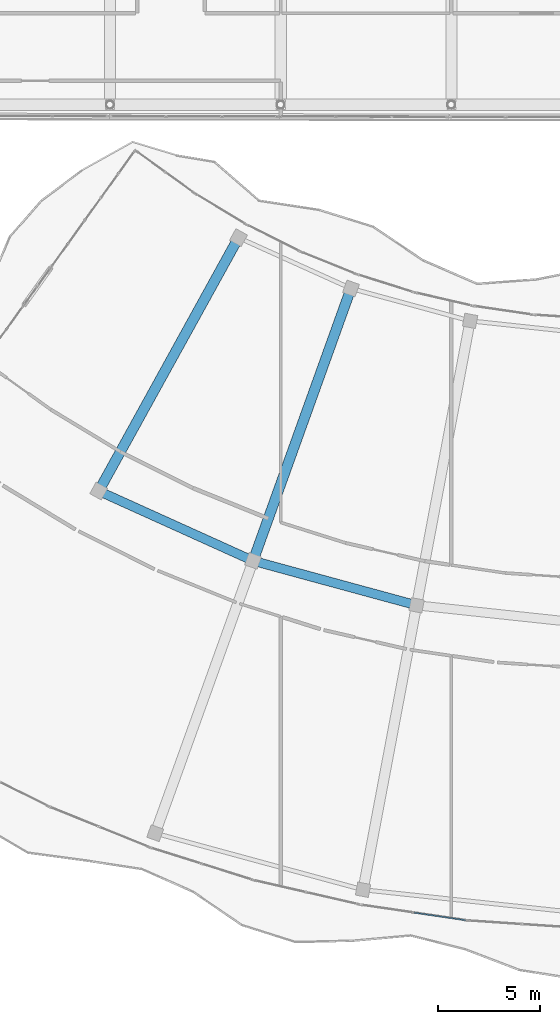
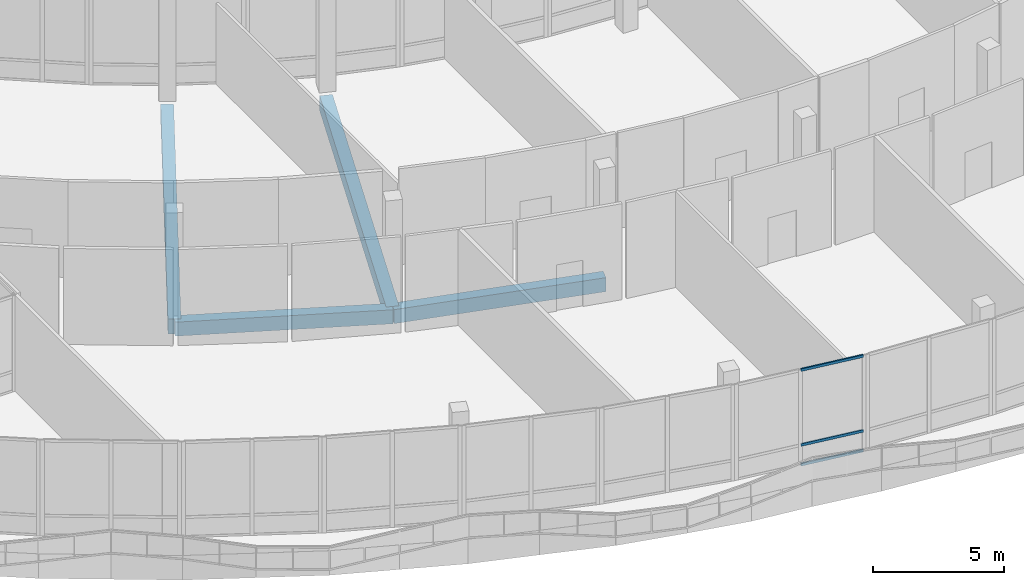
# One storey, part 18 of 155: 4 beams, 3 members, 1 element without a shape of its own.
"""IFC4 building model written with IfcOpenShell, lengths in metres."""

from ifc_helpers import new_model, si_unit, direction, frame, origin, origin_2d, place, context, subcontext, project, spatial, rectangle, hollow_rectangle, extrude, material, material_profile, profile_set, type_object, element, aggregate, save


model = new_model("IFC4")

# Units and contexts
model_context = context("Model", 3, precision=1e-05, world=origin(), true_north=direction((0.0, 1.0)))
body_context = subcontext(model_context, "Body", "Model", "MODEL_VIEW")
ifc_project = project(units=[si_unit("LENGTHUNIT", "METRE"), si_unit("AREAUNIT", "SQUARE_METRE"), si_unit("VOLUMEUNIT", "CUBIC_METRE"), si_unit("PLANEANGLEUNIT", "RADIAN"), si_unit("MASSUNIT", "GRAM", prefix="KILO")], contexts=[model_context])

# Site, building, storey
site_placement = place(None, origin())
site = spatial("IfcSite", under=ifc_project, at=site_placement, CompositionType="ELEMENT")
building_placement = place(site_placement, origin())
building = spatial("IfcBuilding", under=site, at=building_placement, Name="Selatvlak General Hospital", CompositionType="ELEMENT")
storey_placement = place(building_placement, frame((0.0, 0.0, 10.199951171875)))
storey = spatial("IfcBuildingStorey", under=building, at=storey_placement, Name="L02", CompositionType="ELEMENT", Elevation=10.199951171875)

# Beams
ifc_material_1 = material(Name="Concrete C40/50", Category="concrete")
ifc_material_profile_1 = material_profile(ifc_material_1, rectangle(XDim=0.5, YDim=0.699951171875, at=origin_2d()), Name="RC-BM 500x700")
ifc_profile_set_1 = profile_set([ifc_material_profile_1], Name="Concrete C40/50")
beam_type_1 = type_object("IfcBeamType", Name="BM-G03", PredefinedType="BEAM", material=ifc_profile_set_1)
beam_1_placement = place(storey_placement, frame((37.52099609375, 46.009033203125, -0.704833984375), z_axis=(-0.483032502688, -0.875602421963, 0.0), x_axis=(0.875602421963, -0.483032502688, 0.0)))
element("IfcBeam", 1, at=beam_1_placement, inside=storey, type_object=beam_type_1, Name="Beam BMR-L02-1106", PredefinedType="BEAM", context=body_context, shape_type="SweptSolid", body=[
    extrude(rectangle(XDim=0.5, YDim=0.699951171875, at=origin_2d()), origin(), (0.0, 0.0, 1.0), 14.249755859375),
])
beam_2_placement = place(storey_placement, frame((43.05908203125, 43.506103515625, -0.704833984375), z_axis=(-0.338248037823, -0.941056993443, 0.0), x_axis=(0.941056993443, -0.338248037823, 0.0)))
element("IfcBeam", 2, at=beam_2_placement, inside=storey, type_object=beam_type_1, Name="Beam BMR-L02-1107", PredefinedType="BEAM", context=body_context, shape_type="SweptSolid", body=[
    extrude(rectangle(XDim=0.5, YDim=0.699951171875, at=origin_2d()), origin(), (0.0, 0.0, 1.0), 14.25),
])
ifc_material_profile_2 = material_profile(ifc_material_1, rectangle(XDim=0.449951171875, YDim=0.64990234375, at=origin_2d()), Name="RC-BM 450x650")
ifc_profile_set_2 = profile_set([ifc_material_profile_2], Name="Concrete C40/50")
beam_type_2 = type_object("IfcBeamType", Name="BM-G04", PredefinedType="BEAM", material=ifc_profile_set_2)
for number, where, z_axis, x_axis, name in (
    (3, (30.637939453125, 33.531982421875, -0.679931640625), (0.911222507052, -0.411914484623, 0.0), (0.411914484623, 0.911222507052, 0.0), "Beam BMR-L02-1132"),
    (4, (38.239013671875, 30.095947265625, -0.679931640625), (0.964923713998, -0.262530429026, 0.0), (0.262530429026, 0.964923713998, 0.0), "Beam BMR-L02-1133"),
):
    element("IfcBeam", number, at=place(storey_placement, frame(where, z_axis=z_axis, x_axis=x_axis)), inside=storey, type_object=beam_type_2, Name=name, PredefinedType="BEAM", context=body_context, shape_type="SweptSolid", body=[
        extrude(rectangle(XDim=0.449951171875, YDim=0.64990234375, at=origin_2d()), origin(), (0.0, 0.0, 1.0), 8.341552734375),
    ])

# Curtain wall, members
ifc_material_2 = material(Name="Solar-control Low-E double glazing", Category="glass")
curtain_wall_type = type_object("IfcCurtainWallType", Name="CW-CW-02", PredefinedType="USERDEFINED", material=ifc_material_2)
curtain_wall_placement = place(storey_placement, origin())
curtain_wall = element("IfcCurtainWall", 5, at=curtain_wall_placement, inside=storey, type_object=curtain_wall_type, Name="Glazed facade curtain wall CW-L02-0308", ObjectType="UNITISED CURTAIN WALL", PredefinedType="USERDEFINED")
ifc_material_3 = material(Name="Dark anodised aluminium mullion", Category="aluminium")
ifc_material_profile_3 = material_profile(ifc_material_3, hollow_rectangle(XDim=0.06494140625, YDim=0.1201171875, WallThickness=0.00390625, at=origin_2d()), Name="AL-TRN 65x120x4")
ifc_profile_set_3 = profile_set([ifc_material_profile_3], Name="Dark anodised aluminium mullion")
member_type = type_object("IfcMemberType", Name="CWT-01", PredefinedType="USERDEFINED", material=ifc_profile_set_3)
member_1_placement = place(storey_placement, frame((48.694580078125, 12.4013671875, 0.032470703125), z_axis=(-0.989302619904, 0.145877778466, 0.0), x_axis=(-0.145877778466, -0.989302619904, 0.0)))
member_1 = element("IfcMember", 6, at=member_1_placement, type_object=member_type, Name="CW-02 transom 1.1", ObjectType="TRANSOM", PredefinedType="USERDEFINED", context=body_context, shape_type="SweptSolid", body=[
    extrude(hollow_rectangle(XDim=0.06494140625, YDim=0.1201171875, WallThickness=0.00390625, at=origin_2d()), origin(), (0.0, 0.0, 1.0), 2.545654296875),
])
member_2_placement = place(storey_placement, frame((48.694580078125, 12.4013671875, 0.949951171875), z_axis=(-0.989302619904, 0.145877778466, 0.0), x_axis=(-0.145877778466, -0.989302619904, 0.0)))
member_2 = element("IfcMember", 7, at=member_2_placement, type_object=member_type, Name="CW-02 transom 1.2", ObjectType="TRANSOM", PredefinedType="USERDEFINED", context=body_context, shape_type="SweptSolid", body=[
    extrude(hollow_rectangle(XDim=0.06494140625, YDim=0.1201171875, WallThickness=0.00390625, at=origin_2d()), origin(), (0.0, 0.0, 1.0), 2.545654296875),
])
member_3_placement = place(storey_placement, frame((48.694580078125, 12.4013671875, 4.427490234375), z_axis=(-0.989302619904, 0.145877778466, 0.0), x_axis=(-0.145877778466, -0.989302619904, 0.0)))
member_3 = element("IfcMember", 8, at=member_3_placement, type_object=member_type, Name="CW-02 transom 1.3", ObjectType="TRANSOM", PredefinedType="USERDEFINED", context=body_context, shape_type="SweptSolid", body=[
    extrude(hollow_rectangle(XDim=0.06494140625, YDim=0.1201171875, WallThickness=0.00390625, at=origin_2d()), origin(), (0.0, 0.0, 1.0), 2.545654296875),
])
aggregate(curtain_wall, [member_1, member_2, member_3])

save(model, "model.ifc")
